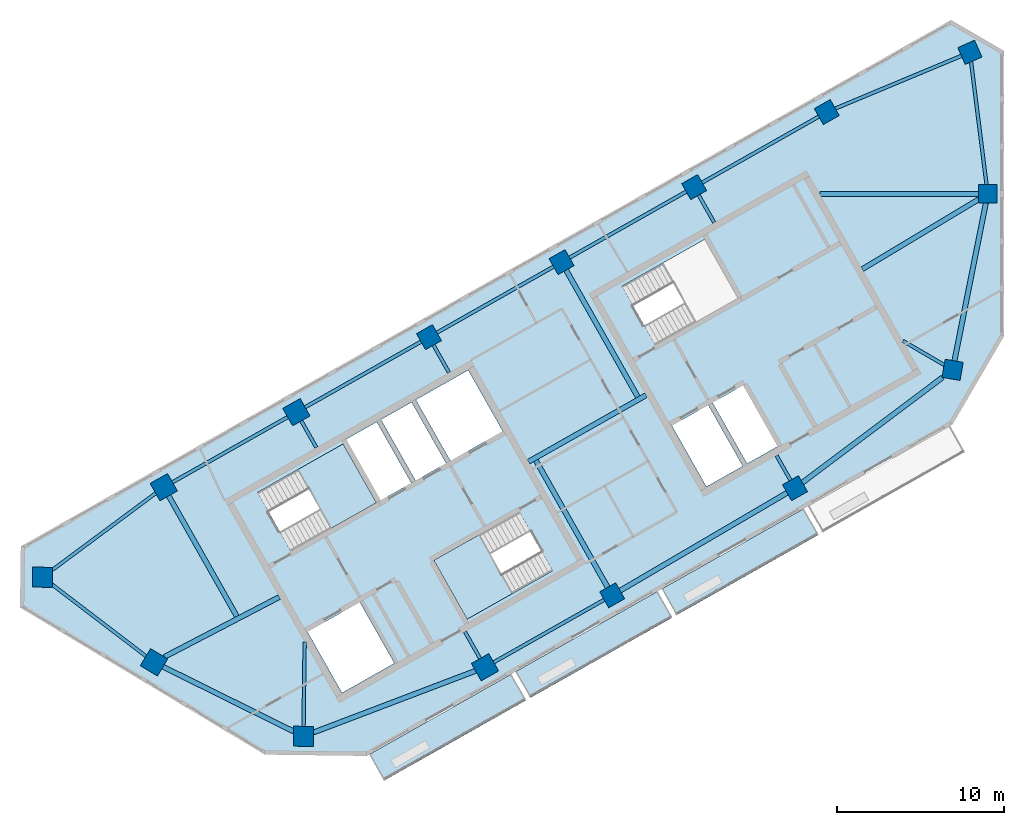
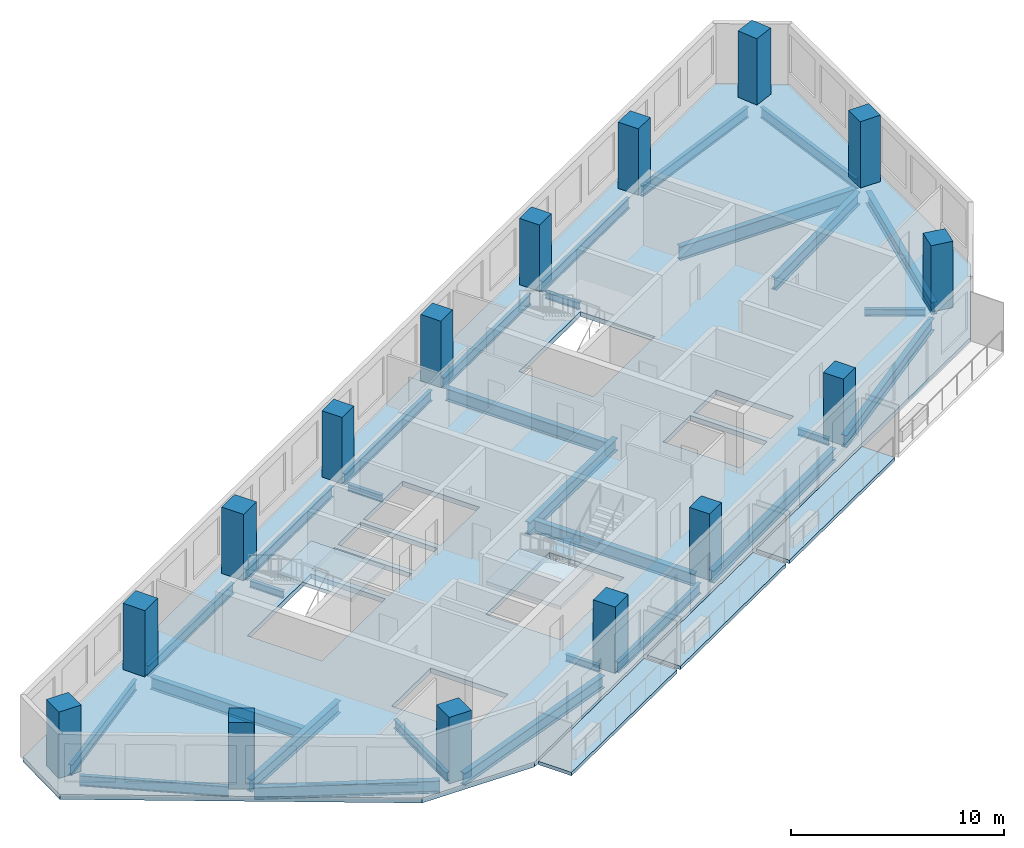
# One storey, part 1 of 7: 29 beams, 15 columns, 6 slabs, 2 elements without a shape of their own.
"""IFC4 building model written with IfcOpenShell, lengths in metres."""

from ifc_helpers import new_model, si_unit, direction, frame, origin, origin_2d, place, context, subcontext, project, spatial, polyline, rectangle, i_section, outline, extrude, material, layer, layer_set, material_profile, profile_set, type_object, element, aggregate, save


model = new_model("IFC4")

# Units and contexts
model_context = context("Model", 3, precision=1e-05, world=origin(), true_north=direction((0.0, 1.0)))
body_context = subcontext(model_context, "Body", "Model", "MODEL_VIEW")
ifc_project = project(units=[si_unit("LENGTHUNIT", "METRE"), si_unit("AREAUNIT", "SQUARE_METRE"), si_unit("VOLUMEUNIT", "CUBIC_METRE"), si_unit("PLANEANGLEUNIT", "RADIAN"), si_unit("MASSUNIT", "GRAM", prefix="KILO")], contexts=[model_context])

# Site, building, storey
site_placement = place(None, origin())
site = spatial("IfcSite", under=ifc_project, at=site_placement, CompositionType="ELEMENT")
building_placement = place(site_placement, origin())
building = spatial("IfcBuilding", under=site, at=building_placement, Name="Binnacle Exchange Tower", CompositionType="ELEMENT")
storey_placement = place(building_placement, frame((0.0, 0.0, 266.5)))
storey = spatial("IfcBuildingStorey", under=building, at=storey_placement, Name="L59", CompositionType="ELEMENT", Elevation=266.5)

# Columns
ifc_material_1 = material(Name="Concrete C60/75", Category="concrete")
ifc_material_profile_1 = material_profile(ifc_material_1, rectangle(XDim=1.10009765625, YDim=1.10009765625, at=origin_2d()), Name="Mega column 1100x1100 C60/75")
ifc_profile_set_1 = profile_set([ifc_material_profile_1], Name="Concrete C60/75")
column_type_1 = type_object("IfcColumnType", Name="Mega column 1100x1100 C60/75", PredefinedType="COLUMN", material=ifc_profile_set_1)
for number, where, z_axis, x_axis, name in (
    (1, (-10.4951171875, 64.901611328125, 0.0), (0.0, 0.0, 1.0), (-0.87035569594, -0.492423560103, 0.0), "S:COL:MC38:L59"),
    (2, (-18.44140625, 60.406005859375, 0.0), (0.0, 0.0, 1.0), (-0.87035569594, -0.492423560103, 0.0), "S:COL:MC29:L59"),
    (3, (-26.3876953125, 55.91015625, 0.0), (0.0, 0.0, 1.0), (-0.87035569594, -0.492423560103, 0.0), "S:COL:MC21:L59"),
    (4, (-34.333740234375, 51.414306640625, 0.0), (0.0, 0.0, 1.0), (-0.87035569594, -0.492423560103, 0.0), "S:COL:MC13:L59"),
    (5, (-23.35595703125, 35.9462890625, 0.0), (0.0, 0.0, 1.0), (0.87035569594, 0.492423560103, 0.0), "S:COL:MC16:L59"),
    (6, (-2.955322265625, 49.45556640625, 0.0), (0.0, 0.0, 1.0), (-0.98522612636, 0.171258517854, 0.0), "S:COL:MC43:L59"),
    (7, (-0.85009765625, 60.0, 0.0), (0.0, 0.0, 1.0), (0.0, 1.0, 0.0), "S:COL:MC45:L59"),
    (8, (-1.920166015625, 68.4833984375, 0.0), (0.0, 0.0, 1.0), (-0.91471298536, -0.40410413808, 0.0), "S:COL:MC44:L59"),
    (9, (-12.39990234375, 42.36328125, 0.0), (0.0, 0.0, 1.0), (0.87035569594, 0.492423560103, 0.0), "S:COL:MC30:L59"),
):
    element("IfcColumn", number, at=place(storey_placement, frame(where, z_axis=z_axis, x_axis=x_axis)), inside=storey, type_object=column_type_1, Name=name, PredefinedType="COLUMN", context=body_context, shape_type="SweptSolid", body=[
        extrude(rectangle(XDim=1.10009765625, YDim=1.10009765625, at=origin_2d()), origin(), (0.0, 0.0, 1.0), 3.800048828125),
    ])
ifc_material_profile_2 = material_profile(ifc_material_1, rectangle(XDim=1.199951171875, YDim=1.199951171875, at=origin_2d()), Name="Mega column 1200x1200 C60/75")
ifc_profile_set_2 = profile_set([ifc_material_profile_2], Name="Concrete C60/75")
column_type_2 = type_object("IfcColumnType", Name="Mega column 1200x1200 C60/75", PredefinedType="COLUMN", material=ifc_profile_set_2)
for number, where, z_axis, x_axis, name in (
    (10, (-42.280029296875, 46.918701171875, 0.0), (0.0, 0.0, 1.0), (-0.87035569594, -0.492423560103, 0.0), "S:COL:MC08:L59"),
    (11, (-50.226318359375, 42.4228515625, 0.0), (0.0, 0.0, 1.0), (-0.87035569594, -0.492423560103, 0.0), "S:COL:MC04:L59"),
    (12, (-57.492919921875, 37.02734375, 0.0), (0.0, 0.0, 1.0), (-0.013089595571, -0.999914327574, 0.0), "S:COL:MC02:L59"),
    (13, (-50.81201171875, 31.930908203125, 0.0), (0.0, 0.0, 1.0), (0.857167300702, -0.51503807491, 0.0), "S:COL:MC01:L59"),
    (14, (-41.857666015625, 27.494873046875, 0.0), (0.0, 0.0, 1.0), (0.999914327574, -0.013089595571, 0.0), "S:COL:MC03:L59"),
    (15, (-30.9755859375, 31.63525390625, 0.0), (0.0, 0.0, 1.0), (0.87035569594, 0.492423560103, 0.0), "S:COL:MC07:L59"),
):
    element("IfcColumn", number, at=place(storey_placement, frame(where, z_axis=z_axis, x_axis=x_axis)), inside=storey, type_object=column_type_2, Name=name, PredefinedType="COLUMN", context=body_context, shape_type="SweptSolid", body=[
        extrude(rectangle(XDim=1.199951171875, YDim=1.199951171875, at=origin_2d()), origin(), (0.0, 0.0, 1.0), 3.800048828125),
    ])

# Beams
ifc_material_2 = material(Name="Steel S355 (SHN355)", Category="steel")
ifc_material_profile_3 = material_profile(ifc_material_2, i_section(OverallWidth=0.199951171875, OverallDepth=0.60009765625, WebThickness=0.010986328125, FlangeThickness=0.01708984375, FilletRadius=0.02197265625, at=origin_2d()), Name="H 600x200x11x17")
ifc_profile_set_3 = profile_set([ifc_material_profile_3], Name="Steel S355 (SHN355)")
beam_type_1 = type_object("IfcBeamType", Name="Edge girder H 600x200x11x17 Steel S355 (SHN355)", PredefinedType="SPANDREL", material=ifc_profile_set_3)
beam_1_placement = place(storey_placement, frame((-56.89892578125, 36.57421875, -0.580078125), z_axis=(0.795079526259, -0.606505191176, 0.0), x_axis=(0.606505191176, 0.795079526259, 0.0)))
element("IfcBeam", 16, at=beam_1_placement, inside=storey, type_object=beam_type_1, Name="S:BM:edge:L59:004", PredefinedType="SPANDREL", context=body_context, shape_type="SweptSolid", body=[
    extrude(i_section(OverallWidth=0.199951171875, OverallDepth=0.60009765625, WebThickness=0.010986328125, FlangeThickness=0.01708984375, FilletRadius=0.02197265625, at=origin_2d()), origin(), (0.0, 0.0, 1.0), 7.052001953125),
])
ifc_material_profile_4 = material_profile(ifc_material_2, i_section(OverallWidth=0.200927734375, OverallDepth=0.60595703125, WebThickness=0.011962890625, FlangeThickness=0.02001953125, FilletRadius=0.02197265625, at=origin_2d()), Name="H 606x201x12x20")
ifc_profile_set_4 = profile_set([ifc_material_profile_4], Name="Steel S355 (SHN355)")
beam_type_2 = type_object("IfcBeamType", Name="Edge girder H 606x201x12x20 Steel S355 (SHN355)", PredefinedType="SPANDREL", material=ifc_profile_set_4)
beam_2_placement = place(storey_placement, frame((-50.711669921875, 42.0625, -0.5830078125), z_axis=(-0.802889255085, -0.596128211099, 0.0), x_axis=(0.596128211099, -0.802889255085, 0.0)))
element("IfcBeam", 17, at=beam_2_placement, inside=storey, type_object=beam_type_2, Name="S:BM:edge:L59:005", PredefinedType="SPANDREL", context=body_context, shape_type="SweptSolid", body=[
    extrude(i_section(OverallWidth=0.200927734375, OverallDepth=0.60595703125, WebThickness=0.011962890625, FlangeThickness=0.02001953125, FilletRadius=0.02197265625, at=origin_2d()), origin(), (0.0, 0.0, 1.0), 7.691650390625),
])
beam_3_placement = place(storey_placement, frame((-30.453369140625, 31.930908203125, -0.5830078125), z_axis=(0.870370831478, 0.49239680717, 0.0), x_axis=(-0.49239680717, 0.870370831478, 0.0)))
element("IfcBeam", 18, at=beam_3_placement, inside=storey, type_object=beam_type_2, Name="S:BM:edge:L59:010", PredefinedType="SPANDREL", context=body_context, shape_type="SweptSolid", body=[
    extrude(i_section(OverallWidth=0.200927734375, OverallDepth=0.60595703125, WebThickness=0.011962890625, FlangeThickness=0.02001953125, FilletRadius=0.02197265625, at=origin_2d()), origin(), (0.0, 0.0, 1.0), 7.6044921875),
])
beam_4_placement = place(storey_placement, frame((-0.91943359375, 60.550048828125, -0.5830078125), z_axis=(-0.125160121745, 0.992136555079, 0.0), x_axis=(-0.992136555079, -0.125160121745, 0.0)))
element("IfcBeam", 19, at=beam_4_placement, inside=storey, type_object=beam_type_2, Name="S:BM:edge:L59:018", PredefinedType="SPANDREL", context=body_context, shape_type="SweptSolid", body=[
    extrude(i_section(OverallWidth=0.200927734375, OverallDepth=0.60595703125, WebThickness=0.011962890625, FlangeThickness=0.02001953125, FilletRadius=0.02197265625, at=origin_2d()), origin(), (0.0, 0.0, 1.0), 7.422119140625),
])
ifc_material_profile_5 = material_profile(ifc_material_2, i_section(OverallWidth=0.201904296875, OverallDepth=0.612060546875, WebThickness=0.012939453125, FlangeThickness=0.02294921875, FilletRadius=0.02197265625, at=origin_2d()), Name="H 612x202x13x23")
ifc_profile_set_5 = profile_set([ifc_material_profile_5], Name="Steel S355 (SHN355)")
beam_type_3 = type_object("IfcBeamType", Name="Edge girder H 612x202x13x23 Steel S355 (SHN355)", PredefinedType="SPANDREL", material=ifc_profile_set_5)
beam_5_placement = place(storey_placement, frame((-42.80224609375, 46.623291015625, -0.5859375), z_axis=(-0.870360926906, -0.492414314288, 0.0), x_axis=(0.492414314288, -0.870360926906, 0.0)))
element("IfcBeam", 20, at=beam_5_placement, inside=storey, type_object=beam_type_3, Name="S:BM:edge:L59:007", PredefinedType="SPANDREL", context=body_context, shape_type="SweptSolid", body=[
    extrude(i_section(OverallWidth=0.201904296875, OverallDepth=0.612060546875, WebThickness=0.012939453125, FlangeThickness=0.02294921875, FilletRadius=0.02197265625, at=origin_2d()), origin(), (0.0, 0.0, 1.0), 7.929931640625),
])
beam_6_placement = place(storey_placement, frame((-34.8125, 51.1435546875, -0.5859375), z_axis=(-0.870357059543, -0.492421149935, 0.0), x_axis=(0.492421149935, -0.870357059543, 0.0)))
element("IfcBeam", 21, at=beam_6_placement, inside=storey, type_object=beam_type_3, Name="S:BM:edge:L59:009", PredefinedType="SPANDREL", context=body_context, shape_type="SweptSolid", body=[
    extrude(i_section(OverallWidth=0.201904296875, OverallDepth=0.612060546875, WebThickness=0.012939453125, FlangeThickness=0.02294921875, FilletRadius=0.02197265625, at=origin_2d()), origin(), (0.0, 0.0, 1.0), 7.979736328125),
])
beam_7_placement = place(storey_placement, frame((-26.8662109375, 55.639404296875, -0.5859375), z_axis=(-0.870353240257, -0.492427900482, 0.0), x_axis=(0.492427900482, -0.870353240257, 0.0)))
element("IfcBeam", 22, at=beam_7_placement, inside=storey, type_object=beam_type_3, Name="S:BM:edge:L59:011", PredefinedType="SPANDREL", context=body_context, shape_type="SweptSolid", body=[
    extrude(i_section(OverallWidth=0.201904296875, OverallDepth=0.612060546875, WebThickness=0.012939453125, FlangeThickness=0.02294921875, FilletRadius=0.02197265625, at=origin_2d()), origin(), (0.0, 0.0, 1.0), 8.02978515625),
])
beam_8_placement = place(storey_placement, frame((-18.919921875, 60.13525390625, -0.5859375), z_axis=(-0.870347582166, -0.492437900875, 0.0), x_axis=(0.492437900875, -0.870347582166, 0.0)))
element("IfcBeam", 23, at=beam_8_placement, inside=storey, type_object=beam_type_3, Name="S:BM:edge:L59:013", PredefinedType="SPANDREL", context=body_context, shape_type="SweptSolid", body=[
    extrude(i_section(OverallWidth=0.201904296875, OverallDepth=0.612060546875, WebThickness=0.012939453125, FlangeThickness=0.02294921875, FilletRadius=0.02197265625, at=origin_2d()), origin(), (0.0, 0.0, 1.0), 8.030029296875),
])
beam_9_placement = place(storey_placement, frame((-10.973876953125, 64.630859375, -0.5859375), z_axis=(-0.870353240257, -0.492427900482, 0.0), x_axis=(0.492427900482, -0.870353240257, 0.0)))
element("IfcBeam", 24, at=beam_9_placement, inside=storey, type_object=beam_type_3, Name="S:BM:edge:L59:015", PredefinedType="SPANDREL", context=body_context, shape_type="SweptSolid", body=[
    extrude(i_section(OverallWidth=0.201904296875, OverallDepth=0.612060546875, WebThickness=0.012939453125, FlangeThickness=0.02294921875, FilletRadius=0.02197265625, at=origin_2d()), origin(), (0.0, 0.0, 1.0), 8.02978515625),
])
beam_10_placement = place(storey_placement, frame((-2.427734375, 68.271240234375, -0.5859375), z_axis=(-0.922746687756, -0.385406992977, 0.0), x_axis=(0.385406992977, -0.922746687756, 0.0)))
element("IfcBeam", 25, at=beam_10_placement, inside=storey, type_object=beam_type_3, Name="S:BM:edge:L59:017", PredefinedType="SPANDREL", context=body_context, shape_type="SweptSolid", body=[
    extrude(i_section(OverallWidth=0.201904296875, OverallDepth=0.612060546875, WebThickness=0.012939453125, FlangeThickness=0.02294921875, FilletRadius=0.02197265625, at=origin_2d()), origin(), (0.0, 0.0, 1.0), 8.188720703125),
])
ifc_material_profile_6 = material_profile(ifc_material_2, i_section(OverallWidth=0.300048828125, OverallDepth=0.699951171875, WebThickness=0.012939453125, FlangeThickness=0.02392578125, FilletRadius=0.028076171875, at=origin_2d()), Name="H 700x300x13x24")
ifc_profile_set_6 = profile_set([ifc_material_profile_6], Name="Steel S355 (SHN355)")
beam_type_4 = type_object("IfcBeamType", Name="Edge girder H 700x300x13x24 Steel S355 (SHN355)", PredefinedType="SPANDREL", material=ifc_profile_set_6)
beam_11_placement = place(storey_placement, frame((-50.272705078125, 31.663818359375, -0.6298828125), z_axis=(0.896066323919, -0.443920199066, 0.0), x_axis=(0.443920199066, 0.896066323919, 0.0)))
element("IfcBeam", 26, at=beam_11_placement, inside=storey, type_object=beam_type_4, Name="S:BM:edge:L59:006", PredefinedType="SPANDREL", context=body_context, shape_type="SweptSolid", body=[
    extrude(i_section(OverallWidth=0.300048828125, OverallDepth=0.699951171875, WebThickness=0.012939453125, FlangeThickness=0.02392578125, FilletRadius=0.028076171875, at=origin_2d()), origin(), (0.0, 0.0, 1.0), 8.725830078125),
])
beam_12_placement = place(storey_placement, frame((-41.254638671875, 27.724365234375, -0.6298828125), z_axis=(0.934635421438, 0.355607408519, 0.0), x_axis=(-0.355607408519, 0.934635421438, 0.0)))
element("IfcBeam", 27, at=beam_12_placement, inside=storey, type_object=beam_type_4, Name="S:BM:edge:L59:008", PredefinedType="SPANDREL", context=body_context, shape_type="SweptSolid", body=[
    extrude(i_section(OverallWidth=0.300048828125, OverallDepth=0.699951171875, WebThickness=0.012939453125, FlangeThickness=0.02392578125, FilletRadius=0.028076171875, at=origin_2d()), origin(), (0.0, 0.0, 1.0), 10.390869140625),
])
beam_13_placement = place(storey_placement, frame((-11.95654296875, 42.6962890625, -0.6298828125), z_axis=(0.799642767002, 0.600476015493, 0.0), x_axis=(-0.600476015493, 0.799642767002, 0.0)))
element("IfcBeam", 28, at=beam_13_placement, inside=storey, type_object=beam_type_4, Name="S:BM:edge:L59:014", PredefinedType="SPANDREL", context=body_context, shape_type="SweptSolid", body=[
    extrude(i_section(OverallWidth=0.300048828125, OverallDepth=0.699951171875, WebThickness=0.012939453125, FlangeThickness=0.02392578125, FilletRadius=0.028076171875, at=origin_2d()), origin(), (0.0, 0.0, 1.0), 10.50146484375),
])
beam_14_placement = place(storey_placement, frame((-2.84765625, 49.9951171875, -0.6298828125), z_axis=(0.195814210945, 0.980641012191, 0.0), x_axis=(-0.980641012191, 0.195814210945, 0.0)))
element("IfcBeam", 29, at=beam_14_placement, inside=storey, type_object=beam_type_4, Name="S:BM:edge:L59:016", PredefinedType="SPANDREL", context=body_context, shape_type="SweptSolid", body=[
    extrude(i_section(OverallWidth=0.300048828125, OverallDepth=0.699951171875, WebThickness=0.012939453125, FlangeThickness=0.02392578125, FilletRadius=0.028076171875, at=origin_2d()), origin(), (0.0, 0.0, 1.0), 9.6416015625),
])
ifc_material_profile_7 = material_profile(ifc_material_2, i_section(OverallWidth=0.302001953125, OverallDepth=0.7080078125, WebThickness=0.014892578125, FlangeThickness=0.028076171875, FilletRadius=0.028076171875, at=origin_2d()), Name="H 708x302x15x28")
ifc_profile_set_7 = profile_set([ifc_material_profile_7], Name="Steel S355 (SHN355)")
beam_type_5 = type_object("IfcBeamType", Name="Edge girder H 708x302x15x28 Steel S355 (SHN355)", PredefinedType="SPANDREL", material=ifc_profile_set_7)
beam_15_placement = place(storey_placement, frame((-22.88134765625, 36.22412109375, -0.634033203125), z_axis=(0.86288572191, 0.50539908085, 0.0), x_axis=(-0.50539908085, 0.86288572191, 0.0)))
element("IfcBeam", 30, at=beam_15_placement, inside=storey, type_object=beam_type_5, Name="S:BM:edge:L59:012", PredefinedType="SPANDREL", context=body_context, shape_type="SweptSolid", body=[
    extrude(i_section(OverallWidth=0.302001953125, OverallDepth=0.7080078125, WebThickness=0.014892578125, FlangeThickness=0.028076171875, FilletRadius=0.028076171875, at=origin_2d()), origin(), (0.0, 0.0, 1.0), 11.596923828125),
])
ifc_material_profile_8 = material_profile(ifc_material_2, i_section(OverallWidth=0.199951171875, OverallDepth=0.39990234375, WebThickness=0.008056640625, FlangeThickness=0.012939453125, FilletRadius=0.01611328125, at=origin_2d()), Name="H 400x200x8x13")
ifc_profile_set_8 = profile_set([ifc_material_profile_8], Name="Steel S355 (SHN355)")
beam_type_6 = type_object("IfcBeamType", Name="Floor beam H 400x200x8x13 Steel S355 (SHN355)", PredefinedType="BEAM", material=ifc_profile_set_8)
beam_16_placement = place(storey_placement, frame((-41.984619140625, 46.396484375, -0.47998046875), z_axis=(0.492465079532, -0.87033220407, 0.0), x_axis=(0.87033220407, 0.492465079532, 0.0)))
element("IfcBeam", 31, at=beam_16_placement, inside=storey, type_object=beam_type_6, Name="S:BM:cross:L59:020", PredefinedType="BEAM", context=body_context, shape_type="SweptSolid", body=[
    extrude(i_section(OverallWidth=0.199951171875, OverallDepth=0.39990234375, WebThickness=0.008056640625, FlangeThickness=0.012939453125, FilletRadius=0.01611328125, at=origin_2d()), origin(), (0.0, 0.0, 1.0), 1.834228515625),
])
beam_17_placement = place(storey_placement, frame((-34.06298828125, 50.935791015625, -0.47998046875), z_axis=(0.492437150105, -0.870348006947, 0.0), x_axis=(0.870348006947, 0.492437150105, 0.0)))
element("IfcBeam", 32, at=beam_17_placement, inside=storey, type_object=beam_type_6, Name="S:BM:cross:L59:022", PredefinedType="BEAM", context=body_context, shape_type="SweptSolid", body=[
    extrude(i_section(OverallWidth=0.199951171875, OverallDepth=0.39990234375, WebThickness=0.008056640625, FlangeThickness=0.012939453125, FilletRadius=0.01611328125, at=origin_2d()), origin(), (0.0, 0.0, 1.0), 1.884521484375),
])
beam_18_placement = place(storey_placement, frame((-31.27099609375, 32.157470703125, -0.47998046875), z_axis=(-0.492465079532, 0.87033220407, 0.0), x_axis=(-0.87033220407, -0.492465079532, 0.0)))
element("IfcBeam", 33, at=beam_18_placement, inside=storey, type_object=beam_type_6, Name="S:BM:cross:L59:023", PredefinedType="BEAM", context=body_context, shape_type="SweptSolid", body=[
    extrude(i_section(OverallWidth=0.199951171875, OverallDepth=0.39990234375, WebThickness=0.008056640625, FlangeThickness=0.012939453125, FilletRadius=0.01611328125, at=origin_2d()), origin(), (0.0, 0.0, 1.0), 1.834228515625),
])
beam_19_placement = place(storey_placement, frame((-18.17041015625, 59.92724609375, -0.47998046875), z_axis=(0.492394529663, -0.870372119934, 0.0), x_axis=(0.870372119934, 0.492394529663, 0.0)))
element("IfcBeam", 34, at=beam_19_placement, inside=storey, type_object=beam_type_6, Name="S:BM:cross:L59:026", PredefinedType="BEAM", context=body_context, shape_type="SweptSolid", body=[
    extrude(i_section(OverallWidth=0.199951171875, OverallDepth=0.39990234375, WebThickness=0.008056640625, FlangeThickness=0.012939453125, FilletRadius=0.01611328125, at=origin_2d()), origin(), (0.0, 0.0, 1.0), 1.884033203125),
])
beam_20_placement = place(storey_placement, frame((-12.6708984375, 42.841796875, -0.47998046875), z_axis=(-0.492394350893, 0.870372221069, 0.0), x_axis=(-0.870372221069, -0.492394350893, 0.0)))
element("IfcBeam", 35, at=beam_20_placement, inside=storey, type_object=beam_type_6, Name="S:BM:cross:L59:027", PredefinedType="BEAM", context=body_context, shape_type="SweptSolid", body=[
    extrude(i_section(OverallWidth=0.199951171875, OverallDepth=0.39990234375, WebThickness=0.008056640625, FlangeThickness=0.012939453125, FilletRadius=0.01611328125, at=origin_2d()), origin(), (0.0, 0.0, 1.0), 1.6943359375),
])
beam_21_placement = place(storey_placement, frame((-3.46240234375, 49.751220703125, -0.47998046875), z_axis=(-0.863840862356, 0.503764790874, 0.0), x_axis=(-0.503764790874, -0.863840862356, 0.0)))
element("IfcBeam", 36, at=beam_21_placement, inside=storey, type_object=beam_type_6, Name="S:BM:cross:L59:028", PredefinedType="BEAM", context=body_context, shape_type="SweptSolid", body=[
    extrude(i_section(OverallWidth=0.199951171875, OverallDepth=0.39990234375, WebThickness=0.008056640625, FlangeThickness=0.012939453125, FilletRadius=0.01611328125, at=origin_2d()), origin(), (0.0, 0.0, 1.0), 2.85791015625),
])
ifc_material_profile_9 = material_profile(ifc_material_2, i_section(OverallWidth=0.200927734375, OverallDepth=0.506103515625, WebThickness=0.010986328125, FlangeThickness=0.01904296875, FilletRadius=0.02001953125, at=origin_2d()), Name="H 506x201x11x19")
ifc_profile_set_9 = profile_set([ifc_material_profile_9], Name="Steel S355 (SHN355)")
beam_type_7 = type_object("IfcBeamType", Name="Floor beam H 506x201x11x19 Steel S355 (SHN355)", PredefinedType="BEAM", material=ifc_profile_set_9)
beam_22_placement = place(storey_placement, frame((-41.849853515625, 28.0947265625, -0.532958984375), z_axis=(0.013099523714, 0.999914197558, 0.0), x_axis=(-0.999914197558, 0.013099523714, 0.0)))
element("IfcBeam", 37, at=beam_22_placement, inside=storey, type_object=beam_type_7, Name="S:BM:cross:L59:021", PredefinedType="BEAM", context=body_context, shape_type="SweptSolid", body=[
    extrude(i_section(OverallWidth=0.200927734375, OverallDepth=0.506103515625, WebThickness=0.010986328125, FlangeThickness=0.01904296875, FilletRadius=0.02001953125, at=origin_2d()), origin(), (0.0, 0.0, 1.0), 5.05078125),
])
ifc_material_profile_10 = material_profile(ifc_material_2, i_section(OverallWidth=0.300048828125, OverallDepth=0.699951171875, WebThickness=0.012939453125, FlangeThickness=0.02392578125, FilletRadius=0.028076171875, at=origin_2d()), Name="H 700x300x13x24")
ifc_profile_set_10 = profile_set([ifc_material_profile_10], Name="Steel S355 (SHN355)")
beam_type_8 = type_object("IfcBeamType", Name="Floor beam H 700x300x13x24 Steel S355 (SHN355)", PredefinedType="BEAM", material=ifc_profile_set_10)
beam_23_placement = place(storey_placement, frame((-49.9306640625, 41.900634765625, -0.6298828125), z_axis=(0.492421066821, -0.870357106566, 0.0), x_axis=(0.870357106566, 0.492421066821, 0.0)))
element("IfcBeam", 38, at=beam_23_placement, inside=storey, type_object=beam_type_8, Name="S:BM:cross:L59:019", PredefinedType="BEAM", context=body_context, shape_type="SweptSolid", body=[
    extrude(i_section(OverallWidth=0.300048828125, OverallDepth=0.699951171875, WebThickness=0.012939453125, FlangeThickness=0.02392578125, FilletRadius=0.028076171875, at=origin_2d()), origin(), (0.0, 0.0, 1.0), 8.291259765625),
])
ifc_material_profile_11 = material_profile(ifc_material_2, i_section(OverallWidth=0.302001953125, OverallDepth=0.7080078125, WebThickness=0.014892578125, FlangeThickness=0.028076171875, FilletRadius=0.028076171875, at=origin_2d()), Name="H 708x302x15x28")
ifc_profile_set_11 = profile_set([ifc_material_profile_11], Name="Steel S355 (SHN355)")
beam_type_9 = type_object("IfcBeamType", Name="Floor beam H 708x302x15x28 Steel S355 (SHN355)", PredefinedType="BEAM", material=ifc_profile_set_11)
beam_24_placement = place(storey_placement, frame((-26.11669921875, 55.431396484375, -0.634033203125), z_axis=(0.492413671625, -0.870361290497, 0.0), x_axis=(0.870361290497, 0.492413671625, 0.0)))
element("IfcBeam", 39, at=beam_24_placement, inside=storey, type_object=beam_type_9, Name="S:BM:cross:L59:024", PredefinedType="BEAM", context=body_context, shape_type="SweptSolid", body=[
    extrude(i_section(OverallWidth=0.302001953125, OverallDepth=0.7080078125, WebThickness=0.014892578125, FlangeThickness=0.028076171875, FilletRadius=0.028076171875, at=origin_2d()), origin(), (0.0, 0.0, 1.0), 8.734130859375),
])
beam_25_placement = place(storey_placement, frame((-23.626708984375, 36.4248046875, -0.634033203125), z_axis=(-0.492422866295, 0.870356088477, 0.0), x_axis=(-0.870356088477, -0.492422866295, 0.0)))
element("IfcBeam", 40, at=beam_25_placement, inside=storey, type_object=beam_type_9, Name="S:BM:cross:L59:025", PredefinedType="BEAM", context=body_context, shape_type="SweptSolid", body=[
    extrude(i_section(OverallWidth=0.302001953125, OverallDepth=0.7080078125, WebThickness=0.014892578125, FlangeThickness=0.028076171875, FilletRadius=0.028076171875, at=origin_2d()), origin(), (0.0, 0.0, 1.0), 8.734375),
])
ifc_material_profile_12 = material_profile(ifc_material_2, i_section(OverallWidth=0.300048828125, OverallDepth=0.800048828125, WebThickness=0.013916015625, FlangeThickness=0.02587890625, FilletRadius=0.028076171875, at=origin_2d()), Name="H 800x300x14x26")
ifc_profile_set_12 = profile_set([ifc_material_profile_12], Name="Steel S355 (SHN355)")
beam_type_10 = type_object("IfcBeamType", Name="Floor beam H 800x300x14x26 Steel S355 (SHN355)", PredefinedType="BEAM", material=ifc_profile_set_12)
beam_26_placement = place(storey_placement, frame((-1.39990234375, 60.0, -0.679931640625), z_axis=(-1.0, 0.0, 0.0), x_axis=(0.0, -1.0, 0.0)))
element("IfcBeam", 41, at=beam_26_placement, inside=storey, type_object=beam_type_10, Name="S:BM:cross:L59:029", PredefinedType="BEAM", context=body_context, shape_type="SweptSolid", body=[
    extrude(i_section(OverallWidth=0.300048828125, OverallDepth=0.800048828125, WebThickness=0.013916015625, FlangeThickness=0.02587890625, FilletRadius=0.028076171875, at=origin_2d()), origin(), (0.0, 0.0, 1.0), 9.51513671875),
])
ifc_material_profile_13 = material_profile(ifc_material_2, i_section(OverallWidth=0.300048828125, OverallDepth=0.699951171875, WebThickness=0.012939453125, FlangeThickness=0.02392578125, FilletRadius=0.028076171875, at=origin_2d()), Name="H 700x300x13x24")
ifc_profile_set_13 = profile_set([ifc_material_profile_13], Name="Steel S355 (SHN355)")
beam_type_11 = type_object("IfcBeamType", Name="Spine girder H 700x300x13x24 Steel S355 (SHN355)", PredefinedType="BEAM", material=ifc_profile_set_13)
beam_27_placement = place(storey_placement, frame((-50.18798828125, 32.255859375, -0.6298828125), z_axis=(0.886980159322, 0.461807532387, 0.0), x_axis=(-0.461807532387, 0.886980159322, 0.0)))
element("IfcBeam", 42, at=beam_27_placement, inside=storey, type_object=beam_type_11, Name="S:BM:spine:L59:001", PredefinedType="BEAM", context=body_context, shape_type="SweptSolid", body=[
    extrude(i_section(OverallWidth=0.300048828125, OverallDepth=0.699951171875, WebThickness=0.012939453125, FlangeThickness=0.02392578125, FilletRadius=0.028076171875, at=origin_2d()), origin(), (0.0, 0.0, 1.0), 7.757080078125),
])
beam_28_placement = place(storey_placement, frame((-8.36328125, 55.489990234375, -0.6298828125), z_axis=(0.857389464427, 0.514668151618, 0.0), x_axis=(-0.514668151618, 0.857389464427, 0.0)))
element("IfcBeam", 43, at=beam_28_placement, inside=storey, type_object=beam_type_11, Name="S:BM:spine:L59:003", PredefinedType="BEAM", context=body_context, shape_type="SweptSolid", body=[
    extrude(i_section(OverallWidth=0.300048828125, OverallDepth=0.699951171875, WebThickness=0.012939453125, FlangeThickness=0.02392578125, FilletRadius=0.028076171875, at=origin_2d()), origin(), (0.0, 0.0, 1.0), 8.12158203125),
])
ifc_material_profile_14 = material_profile(ifc_material_2, i_section(OverallWidth=0.302001953125, OverallDepth=0.7080078125, WebThickness=0.014892578125, FlangeThickness=0.028076171875, FilletRadius=0.028076171875, at=origin_2d()), Name="H 708x302x15x28")
ifc_profile_set_14 = profile_set([ifc_material_profile_14], Name="Steel S355 (SHN355)")
beam_type_12 = type_object("IfcBeamType", Name="Spine girder H 708x302x15x28 Steel S355 (SHN355)", PredefinedType="BEAM", material=ifc_profile_set_14)
beam_29_placement = place(storey_placement, frame((-28.365478515625, 43.951416015625, -0.634033203125), z_axis=(0.870350319004, 0.492433063684, 0.0), x_axis=(-0.492433063684, 0.870350319004, 0.0)))
element("IfcBeam", 44, at=beam_29_placement, inside=storey, type_object=beam_type_12, Name="S:BM:spine:L59:002", PredefinedType="BEAM", context=body_context, shape_type="SweptSolid", body=[
    extrude(i_section(OverallWidth=0.302001953125, OverallDepth=0.7080078125, WebThickness=0.014892578125, FlangeThickness=0.028076171875, FilletRadius=0.028076171875, at=origin_2d()), origin(), (0.0, 0.0, 1.0), 8.0908203125),
])

# Slabs
ifc_material_3 = material(Name="Concrete C35/45", Category="concrete")
ifc_layer_1 = layer(ifc_material_3, 0.199951171875)
ifc_layer_set_1 = layer_set([ifc_layer_1], Name="BALCONY SLAB 200")
slab_type_1 = type_object("IfcSlabType", Name="BALCONY SLAB 200", PredefinedType="FLOOR", material=ifc_layer_set_1)
slab_1_placement = place(storey_placement, frame((0.0, 0.0, -0.199951171875)))
element("IfcSlab", 45, at=slab_1_placement, inside=storey, type_object=slab_type_1, Name="Balcony BA-H07-00 L59", PredefinedType="FLOOR", context=body_context, shape_type="SweptSolid", body=[
    extrude(outline(polyline([(-37.90576171875, 26.410400390625), (-29.40380859375, 31.220458984375), (-28.517578125, 29.65380859375), (-37.019287109375, 24.84375), (-37.90576171875, 26.410400390625)])), origin(), (0.0, 0.0, 1.0), 0.199951171875),
])
slab_2_placement = place(storey_placement, frame((0.0, 0.0, -0.199951171875)))
element("IfcSlab", 46, at=slab_2_placement, inside=storey, type_object=slab_type_1, Name="Balcony BA-H07-01 L59", PredefinedType="FLOOR", context=body_context, shape_type="SweptSolid", body=[
    extrude(outline(polyline([(-29.142822265625, 31.3681640625), (-20.64111328125, 36.17822265625), (-19.754638671875, 34.611572265625), (-28.25634765625, 29.801513671875), (-29.142822265625, 31.3681640625)])), origin(), (0.0, 0.0, 1.0), 0.199951171875),
])
slab_3_placement = place(storey_placement, frame((0.0, 0.0, -0.199951171875)))
element("IfcSlab", 47, at=slab_3_placement, inside=storey, type_object=slab_type_1, Name="Balcony BA-H07-02 L59", PredefinedType="FLOOR", context=body_context, shape_type="SweptSolid", body=[
    extrude(outline(polyline([(-20.3798828125, 36.325927734375), (-11.878173828125, 41.135986328125), (-10.99169921875, 39.5693359375), (-19.493408203125, 34.759521484375), (-20.3798828125, 36.325927734375)])), origin(), (0.0, 0.0, 1.0), 0.199951171875),
])
ifc_layer_2 = layer(ifc_material_3, 0.280029296875)
ifc_layer_set_2 = layer_set([ifc_layer_2], Name="Floor slab 280 Concrete C35/45")
slab_type_2 = type_object("IfcSlabType", Name="Floor slab 280 Concrete C35/45", PredefinedType="FLOOR", material=ifc_layer_set_2)
slab_4_placement = place(storey_placement, frame((0.0, 0.0, -0.280029296875)))
element("IfcSlab", 48, at=slab_4_placement, inside=storey, type_object=slab_type_2, Name="S:SL:L59:01", PredefinedType="FLOOR", context=body_context, shape_type="SweptSolid", body=[
    extrude(outline(polyline([(-38.097900390625, 26.4453125), (-44.14404296875, 26.5244140625), (-58.716064453125, 35.280029296875), (-58.669921875, 38.80615234375), (-3.046142578125, 70.276611328125), (0.0, 68.5), (0.0, 51.5), (-3.046142578125, 46.276611328125), (-38.097900390625, 26.4453125)]), holes=[polyline([(-38.4794921875, 35.529296875), (-41.61279296875, 33.756591796875), (-39.544677734375, 30.10107421875), (-36.411376953125, 31.873779296875), (-38.4794921875, 35.529296875)]), polyline([(-32.04638671875, 34.515625), (-26.9287109375, 37.4111328125), (-28.923095703125, 40.93603515625), (-34.040771484375, 38.04052734375), (-32.04638671875, 34.515625)]), polyline([(-39.480712890625, 45.01611328125), (-44.598388671875, 42.12060546875), (-42.604248046875, 38.595703125), (-37.486572265625, 41.4912109375), (-39.480712890625, 45.01611328125)]), polyline([(-37.4658203125, 46.32861328125), (-39.293701171875, 45.29443359375), (-37.225341796875, 41.638916015625), (-35.397705078125, 42.673095703125), (-37.4658203125, 46.32861328125)]), polyline([(-17.598876953125, 47.343017578125), (-19.77490234375, 46.11181640625), (-17.70654296875, 42.456298828125), (-15.53076171875, 43.6875), (-17.598876953125, 47.343017578125)]), polyline([(-35.376953125, 47.51025390625), (-37.20458984375, 46.476318359375), (-35.136474609375, 42.82080078125), (-33.308837890625, 43.854736328125), (-35.376953125, 47.51025390625)]), polyline([(-15.510009765625, 48.52490234375), (-17.337890625, 47.49072265625), (-15.26953125, 43.835205078125), (-13.44189453125, 44.869384765625), (-15.510009765625, 48.52490234375)]), polyline([(-29.914306640625, 45.775390625), (-31.982666015625, 49.430908203125), (-35.115966796875, 47.657958984375), (-33.047607421875, 44.00244140625), (-29.914306640625, 45.775390625)]), polyline([(-15.822509765625, 53.748046875), (-17.81689453125, 57.27294921875), (-22.760498046875, 54.47607421875), (-20.76611328125, 50.950927734375), (-15.822509765625, 53.748046875)])]), origin(), (0.0, 0.0, 1.0), 0.280029296875),
])

# Stair, slab
stair_type = type_object("IfcStairType", Name="STAIR 22 RISERS 173", PredefinedType="HALF_TURN_STAIR", material=ifc_material_3)
stair_1_placement = place(storey_placement, origin())
stair_1 = element("IfcStair", 49, at=stair_1_placement, inside=storey, type_object=stair_type, Name="L59 Escape stair A1", PredefinedType="HALF_TURN_STAIR")
ifc_layer_3 = layer(ifc_material_3, 0.199951171875)
ifc_layer_set_3 = layer_set([ifc_layer_3], Name="STAIR LANDING 200")
slab_type_3 = type_object("IfcSlabType", Name="STAIR LANDING 200", PredefinedType="LANDING", material=ifc_layer_set_3)
slab_5_placement = place(storey_placement, frame((0.0, 0.0, 1.699951171875)))
slab_5 = element("IfcSlab", 50, at=slab_5_placement, type_object=slab_type_3, Name="STA1 landing 1", PredefinedType="LANDING", context=body_context, shape_type="SweptSolid", body=[
    extrude(outline(polyline([(-40.2021484375, 39.954833984375), (-37.486572265625, 41.4912109375), (-39.48095703125, 45.01611328125), (-42.1962890625, 43.479736328125), (-40.2021484375, 39.954833984375)])), origin(), (0.0, 0.0, 1.0), 0.199951171875),
])
aggregate(stair_1, [slab_5])

stair_2_placement = place(storey_placement, origin())
stair_2 = element("IfcStair", 51, at=stair_2_placement, inside=storey, type_object=stair_type, Name="L59 Escape stair A2", PredefinedType="HALF_TURN_STAIR")
slab_6_placement = place(storey_placement, frame((0.0, 0.0, 1.699951171875)))
slab_6 = element("IfcSlab", 52, at=slab_6_placement, type_object=slab_type_3, Name="STA2 landing 1", PredefinedType="LANDING", context=body_context, shape_type="SweptSolid", body=[
    extrude(outline(polyline([(-31.3251953125, 39.576904296875), (-34.040771484375, 38.04052734375), (-32.04638671875, 34.515625), (-29.330810546875, 36.052001953125), (-31.3251953125, 39.576904296875)])), origin(), (0.0, 0.0, 1.0), 0.199951171875),
])
aggregate(stair_2, [slab_6])

save(model, "model.ifc")
